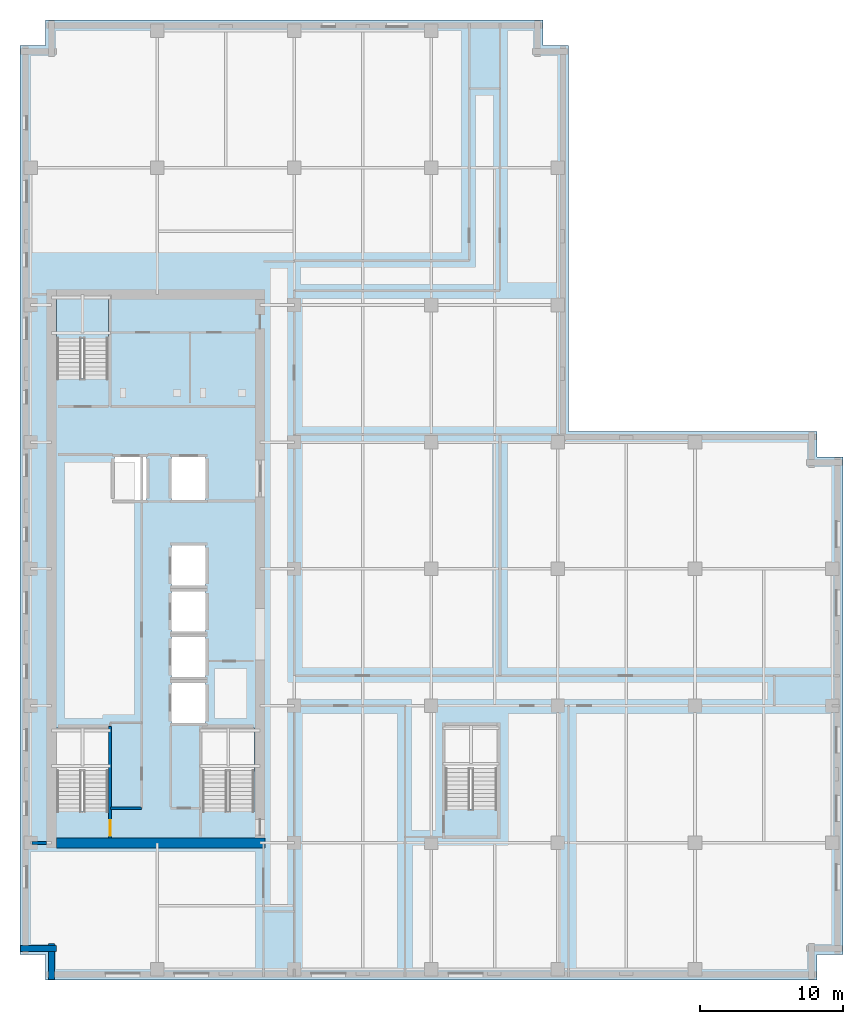
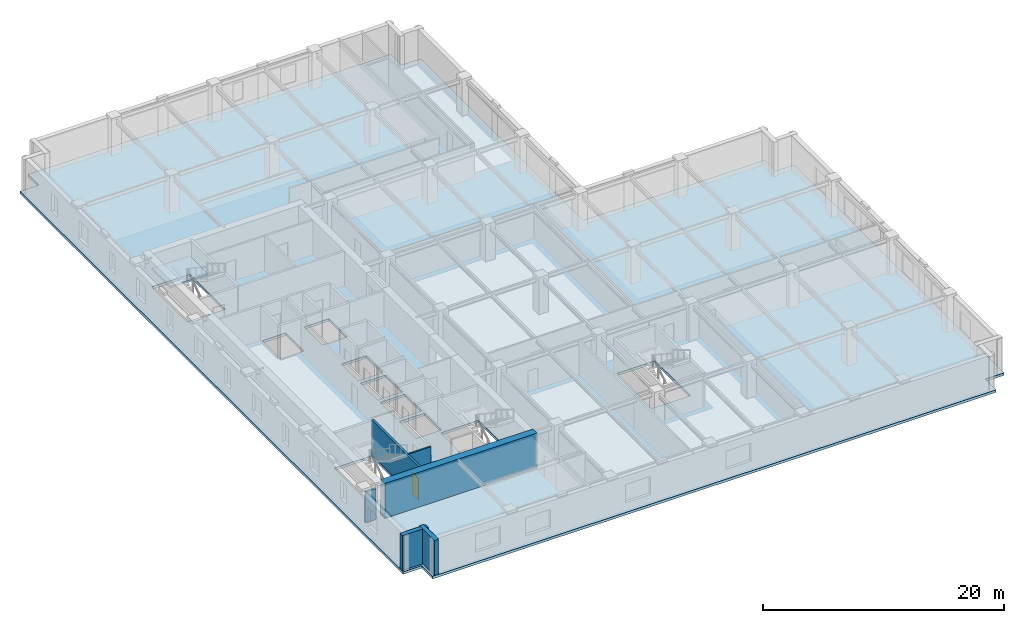
# One storey, part 3 of 13: 6 walls, 2 slabs, 1 door, 1 opening, 1 element without a shape of its own.
"""IFC4 building model written with IfcOpenShell, lengths in metres."""

from ifc_helpers import new_model, si_unit, direction, frame, frame_2d, origin, place, context, subcontext, project, spatial, polyline, rectangle, outline, extrude, material, layer, layer_set, type_object, element, fill, aggregate, save


model = new_model("IFC4")

# Units and contexts
model_context = context("Model", 3, precision=1e-05, world=origin(), true_north=direction((0.0, 1.0)))
body_context = subcontext(model_context, "Body", "Model", "MODEL_VIEW")
ifc_project = project(units=[si_unit("LENGTHUNIT", "METRE"), si_unit("AREAUNIT", "SQUARE_METRE"), si_unit("VOLUMEUNIT", "CUBIC_METRE"), si_unit("PLANEANGLEUNIT", "RADIAN"), si_unit("MASSUNIT", "GRAM", prefix="KILO")], contexts=[model_context])

# Site, building, storey
site_placement = place(None, origin())
site = spatial("IfcSite", under=ifc_project, at=site_placement, CompositionType="ELEMENT")
building_placement = place(site_placement, origin())
building = spatial("IfcBuilding", under=site, at=building_placement, Name="Norrvale University Quadrangle", CompositionType="ELEMENT")
storey_placement = place(building_placement, frame((0.0, 0.0, 159.800048828125)))
storey = spatial("IfcBuildingStorey", under=building, at=storey_placement, Name="L40", CompositionType="ELEMENT", Elevation=159.800048828125)

# Stair, slab
ifc_material_1 = material(Name="Concrete C40/50", Category="concrete")
stair_type = type_object("IfcStairType", Name="Stair Tower Typ 3800", PredefinedType="TWO_STRAIGHT_RUN_STAIR", material=ifc_material_1)
stair_placement = place(storey_placement, origin())
stair = element("IfcStair", 1, at=stair_placement, inside=storey, type_object=stair_type, Name="Exit Stair ST-02 L40", PredefinedType="TWO_STRAIGHT_RUN_STAIR")
ifc_layer_1 = layer(ifc_material_1, 0.199951171875, Name="Concrete C40/50")
ifc_layer_set_1 = layer_set([ifc_layer_1], Name="Concrete C40/50")
slab_type_1 = type_object("IfcSlabType", Name="Slab Landing 200", PredefinedType="LANDING", material=ifc_layer_set_1)
slab_1_placement = place(storey_placement, frame((0.0, 0.0, 1.699951171875)))
slab_1 = element("IfcSlab", 2, at=slab_1_placement, type_object=slab_type_1, Name="Exit Stair ST-02 L40 Mid Landing", PredefinedType="LANDING", context=body_context, shape_type="SweptSolid", body=[
    extrude(outline(polyline([(2.550048828125, 44.889892578125), (6.199951171875, 44.889892578125), (6.199951171875, 47.949951171875), (2.550048828125, 47.949951171875), (2.550048828125, 44.889892578125)])), origin(), (0.0, 0.0, 1.0), 0.199951171875),
])
aggregate(stair, [slab_1])

# Slab
ifc_layer_2 = layer(ifc_material_1, 0.260009765625, Name="Concrete C40/50")
ifc_layer_set_2 = layer_set([ifc_layer_2], Name="Concrete C40/50")
slab_type_2 = type_object("IfcSlabType", Name="Slab Tower Typ 260", PredefinedType="FLOOR", material=ifc_layer_set_2)
slab_2_placement = place(storey_placement, frame((0.0, 0.0, -0.260009765625)))
element("IfcSlab", 3, at=slab_2_placement, inside=storey, type_object=slab_type_2, Name="Tower L40 Floor Slab", PredefinedType="FLOOR", context=body_context, shape_type="SweptSolid", body=[
    extrude(outline(polyline([(1.800048828125, 0.0), (55.800048828125, 0.0), (55.800048828125, 1.800048828125), (57.60009765625, 1.800048828125), (57.60009765625, 36.60009765625), (55.800048828125, 36.60009765625), (55.800048828125, 38.39990234375), (38.39990234375, 38.39990234375), (38.39990234375, 65.39990234375), (36.60009765625, 65.39990234375), (36.60009765625, 67.199951171875), (1.800048828125, 67.199951171875), (1.800048828125, 65.39990234375), (0.0, 65.39990234375), (0.0, 1.800048828125), (1.800048828125, 1.800048828125), (1.800048828125, 0.0)]), holes=[polyline([(2.550048828125, 11.81005859375), (6.199951171875, 11.81005859375), (6.199951171875, 17.64990234375), (2.550048828125, 17.64990234375), (2.550048828125, 11.81005859375)]), polyline([(2.550048828125, 42.110107421875), (6.199951171875, 42.110107421875), (6.199951171875, 47.949951171875), (2.550048828125, 47.949951171875), (2.550048828125, 42.110107421875)]), polyline([(12.75, 11.81005859375), (16.39990234375, 11.81005859375), (16.39990234375, 17.64990234375), (12.75, 17.64990234375), (12.75, 11.81005859375)]), polyline([(29.75, 11.9599609375), (33.39990234375, 11.9599609375), (33.39990234375, 17.800048828125), (29.75, 17.800048828125), (29.75, 11.9599609375)]), polyline([(10.60009765625, 18.0), (13.0, 18.0), (13.0, 20.800048828125), (10.60009765625, 20.800048828125), (10.60009765625, 18.0)]), polyline([(10.60009765625, 21.199951171875), (13.0, 21.199951171875), (13.0, 24.0), (10.60009765625, 24.0), (10.60009765625, 21.199951171875)]), polyline([(10.60009765625, 24.39990234375), (13.0, 24.39990234375), (13.0, 27.199951171875), (10.60009765625, 27.199951171875), (10.60009765625, 24.39990234375)]), polyline([(10.60009765625, 27.60009765625), (13.0, 27.60009765625), (13.0, 30.39990234375), (10.60009765625, 30.39990234375), (10.60009765625, 27.60009765625)]), polyline([(6.60009765625, 33.60009765625), (8.85009765625, 33.60009765625), (8.85009765625, 36.60009765625), (6.60009765625, 36.60009765625), (6.60009765625, 33.60009765625)]), polyline([(10.60009765625, 33.60009765625), (13.0, 33.60009765625), (13.0, 36.60009765625), (10.60009765625, 36.60009765625), (10.60009765625, 33.60009765625)])]), origin(), (0.0, 0.0, 1.0), 0.260009765625),
])

# Walls
ifc_material_2 = material(Name="Buff Norman Clay Brick Masonry", Category="masonry")
ifc_layer_3 = layer(ifc_material_2, 0.419921875, Name="Buff Norman Clay Brick Masonry")
ifc_layer_set_3 = layer_set([ifc_layer_3], Name="Buff Norman Clay Brick Masonry")
wall_type_1 = type_object("IfcWallType", Name="Wall Buff Brick 420", PredefinedType="SOLIDWALL", material=ifc_layer_set_3)
for number, where, z_axis, x_axis, name in (
    (4, (0.0400390625, 2.18994140625, 0.0), (0.0, 0.0, 1.0), (1.0, 0.0, 0.0), "Exterior Brick Facade Wall L40-15.1"),
    (5, (2.18994140625, 2.5400390625, 0.0), (0.0, 0.0, 1.0), (0.0, -1.0, 0.0), "Exterior Brick Facade Wall L40-16.1"),
):
    element("IfcWall", number, at=place(storey_placement, frame(where, z_axis=z_axis, x_axis=x_axis)), inside=storey, type_object=wall_type_1, Name=name, PredefinedType="SOLIDWALL", context=body_context, shape_type="SweptSolid", body=[
        extrude(rectangle(XDim=2.5, YDim=0.419921875, at=frame_2d((1.25, 0.0))), origin(), (0.0, 0.0, 1.0), 3.5400390625),
    ])
ifc_material_3 = material(Name="Concrete C60/75", Category="concrete")
ifc_layer_4 = layer(ifc_material_3, 0.699951171875, Name="Concrete C60/75")
ifc_layer_set_4 = layer_set([ifc_layer_4], Name="Concrete C60/75")
wall_type_2 = type_object("IfcWallType", Name="Wall Core 700", PredefinedType="SHEAR", material=ifc_layer_set_4)
wall_1_placement = place(storey_placement, frame((2.550048828125, 9.60009765625, 0.0), z_axis=(0.0, 0.0, 1.0), x_axis=(1.0, 0.0, 0.0)))
element("IfcWall", 6, at=wall_1_placement, inside=storey, type_object=wall_type_2, Name="Tower Core Shear Wall L40-S", PredefinedType="SHEAR", context=body_context, shape_type="SweptSolid", body=[
    extrude(rectangle(XDim=14.599853515625, YDim=0.699951171875, at=frame_2d((7.2998046875, 0.0))), origin(), (0.0, 0.0, 1.0), 3.5400390625),
])
ifc_material_4 = material(Name="Fire-Rated Gypsum Stud Partition")
ifc_layer_5 = layer(ifc_material_4, 0.14990234375, Name="Fire-Rated Gypsum Stud Partition")
ifc_layer_set_5 = layer_set([ifc_layer_5], Name="Fire-Rated Gypsum Stud Partition")
wall_type_3 = type_object("IfcWallType", Name="Wall Gypsum Corridor 150", PredefinedType="PARTITIONING", material=ifc_layer_set_5)
wall_2_placement = place(storey_placement, frame((6.320068359375, 12.02001953125, 0.0), z_axis=(0.0, 0.0, 1.0), x_axis=(1.0, 0.0, 0.0)))
element("IfcWall", 7, at=wall_2_placement, inside=storey, type_object=wall_type_3, Name="Interior Partition WL-L40-REC-S", PredefinedType="PARTITIONING", context=body_context, shape_type="SweptSolid", body=[
    extrude(rectangle(XDim=2.199951171875, YDim=0.14990234375, at=frame_2d((1.10009765625, 0.0))), origin(), (0.0, 0.0, 1.0), 3.5400390625),
])
ifc_material_5 = material(Name="Concrete Blockwork 20 MPa Rated Wall", Category="masonry")
ifc_layer_6 = layer(ifc_material_5, 0.199951171875, Name="Concrete Blockwork 20 MPa Rated Wall")
ifc_layer_set_6 = layer_set([ifc_layer_6], Name="Concrete Blockwork 20 MPa Rated Wall")
wall_type_4 = type_object("IfcWallType", Name="Wall Lobby 200", PredefinedType="SOLIDWALL", material=ifc_layer_set_6)
wall_3_placement = place(storey_placement, frame((0.85009765625, 9.60009765625, 0.0), z_axis=(0.0, 0.0, 1.0), x_axis=(1.0, 0.0, 0.0)))
element("IfcWall", 8, at=wall_3_placement, inside=storey, type_object=wall_type_4, Name="Interior Partition WL-L40-CWRET-S", PredefinedType="SOLIDWALL", context=body_context, shape_type="SweptSolid", body=[
    extrude(rectangle(XDim=0.994873046875, YDim=0.199951171875, at=frame_2d((0.49755859375, 0.0))), origin(), (0.0, 0.0, 1.0), 3.123046875),
])

# Wall, opening, door
ifc_material_6 = material(Name="Concrete Blockwork 20 MPa Fire Shaft", Category="masonry")
ifc_layer_7 = layer(ifc_material_6, 0.219970703125, Name="Concrete Blockwork 20 MPa Fire Shaft")
ifc_layer_set_7 = layer_set([ifc_layer_7], Name="Concrete Blockwork 20 MPa Fire Shaft")
wall_type_5 = type_object("IfcWallType", Name="Wall Shaft 220", PredefinedType="SOLIDWALL", material=ifc_layer_set_7)
wall_4_placement = place(storey_placement, frame((6.31005859375, 9.949951171875, 0.0), z_axis=(0.0, 0.0, 1.0), x_axis=(0.0, 1.0, 0.0)))
wall_4 = element("IfcWall", 9, at=wall_4_placement, inside=storey, type_object=wall_type_5, Name="Stair ST-01 East Shaft Wall L40", PredefinedType="SOLIDWALL", context=body_context, shape_type="SweptSolid", body=[
    extrude(rectangle(XDim=7.81005859375, YDim=0.219970703125, at=frame_2d((3.905029296875, 0.0))), origin(), (0.0, 0.0, 1.0), 3.5400390625),
])
opening_placement = place(wall_4_placement, frame((0.139892578125, 0.0, 0.0)))
opening = element("IfcOpeningElement", 10, at=opening_placement, cuts=wall_4, Name="Opening D02", PredefinedType="OPENING", context=body_context, shape_type="SweptSolid", body=[
    extrude(rectangle(XDim=1.10009765625, YDim=2.199951171875, at=frame_2d((0.550048828125, 1.10009765625))), frame((0.0, 0.1220703125, 0.0), z_axis=(0.0, -1.0, 0.0), x_axis=(1.0, 0.0, 0.0)), (0.0, 0.0, 1.0), 0.243896484375),
])
ifc_material_7 = material(Name="Hollow Steel 350W Fire Door", Category="steel")
door_type = type_object("IfcDoorType", Name="Door Stair Exit 1100x2200", OperationType="NOTDEFINED", PredefinedType="DOOR", material=ifc_material_7)
door_placement = place(opening_placement, origin())
door = element("IfcDoor", 11, at=door_placement, inside=storey, type_object=door_type, Name="Door Stair Exit 1100x2200 DR-L40-ST01", OperationType="SINGLE_SWING_LEFT", OverallHeight=2.199951171875, OverallWidth=1.10009765625, PredefinedType="DOOR", context=body_context, shape_type="SweptSolid", body=[
    extrude(rectangle(XDim=1.10009765625, YDim=2.199951171875, at=frame_2d((0.550048828125, 1.10009765625))), frame((0.0, 0.02490234375, 0.0), z_axis=(0.0, -1.0, 0.0), x_axis=(1.0, 0.0, 0.0)), (0.0, 0.0, 1.0), 0.050048828125),
])
fill(opening, door)

save(model, "model.ifc")
